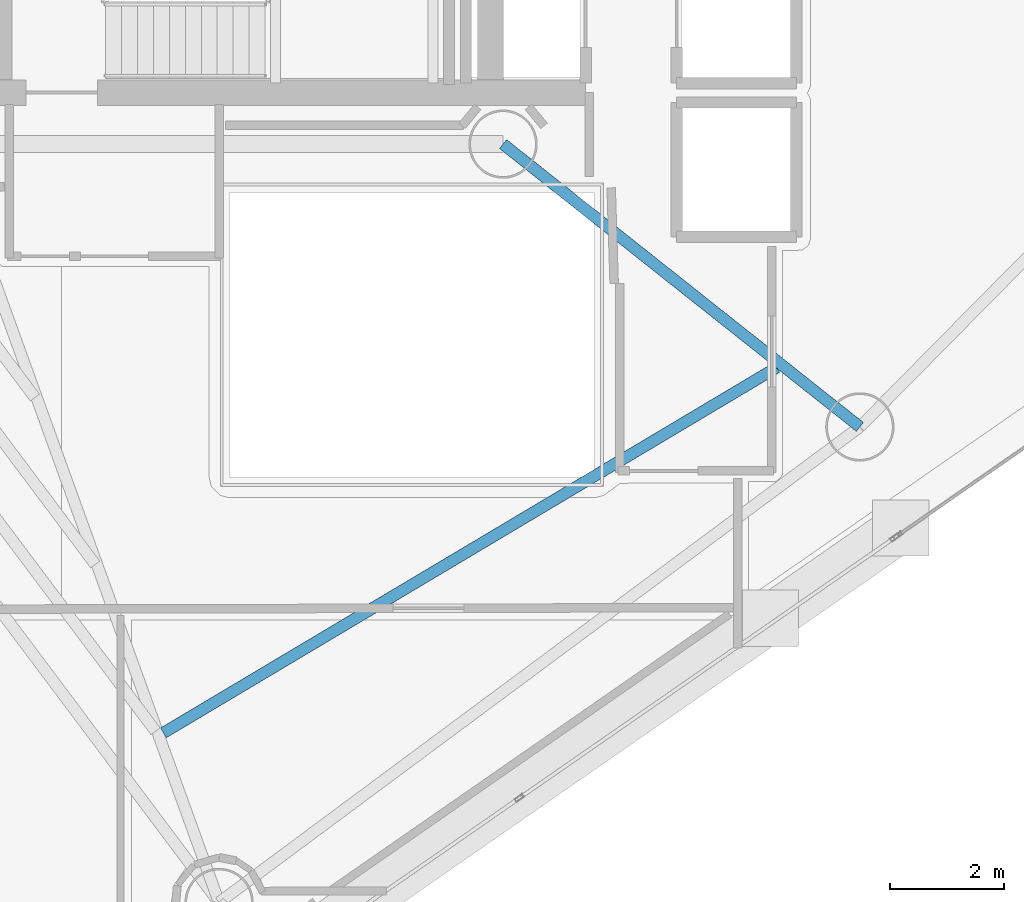
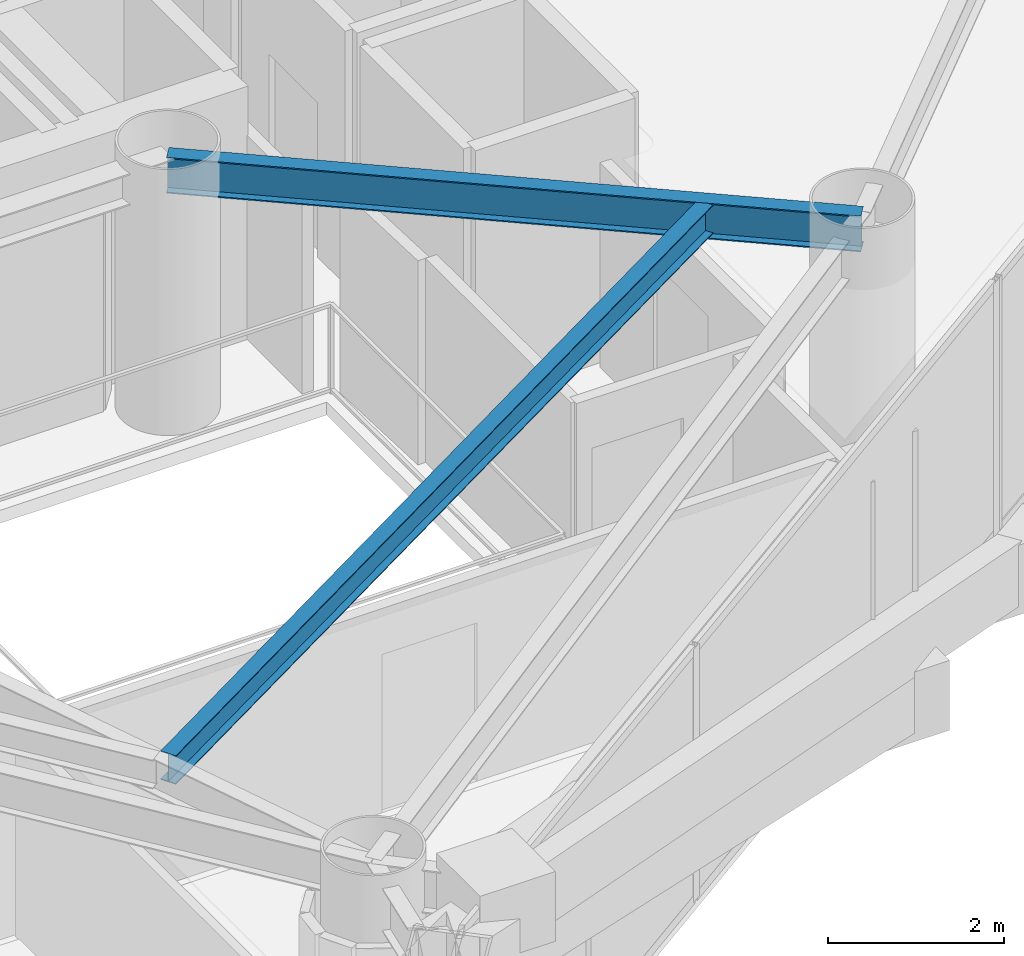
# One storey, part 7 of 23: 2 beams.
"""IFC4 building model written with IfcOpenShell, lengths in metres."""

from ifc_helpers import new_model, si_unit, direction, frame, origin, origin_2d, place, context, subcontext, project, spatial, i_section, extrude, material, material_profile, profile_set, type_object, element, save


model = new_model("IFC4")

# Units and contexts
model_context = context("Model", 3, precision=1e-05, world=origin(), true_north=direction((0.0, 1.0)))
body_context = subcontext(model_context, "Body", "Model", "MODEL_VIEW")
ifc_project = project(units=[si_unit("LENGTHUNIT", "METRE"), si_unit("AREAUNIT", "SQUARE_METRE"), si_unit("VOLUMEUNIT", "CUBIC_METRE"), si_unit("PLANEANGLEUNIT", "RADIAN"), si_unit("MASSUNIT", "GRAM", prefix="KILO")], contexts=[model_context])

# Site, building, storey
site_placement = place(None, origin())
site = spatial("IfcSite", under=ifc_project, at=site_placement, CompositionType="ELEMENT")
building_placement = place(site_placement, origin())
building = spatial("IfcBuilding", under=site, at=building_placement, Name="Qianvela Tower", CompositionType="ELEMENT")
storey_placement = place(building_placement, frame((0.0, 0.0, 192.89990234375)))
storey = spatial("IfcBuildingStorey", under=building, at=storey_placement, Name="L49", CompositionType="ELEMENT", Elevation=192.89990234375)

# Beams
ifc_material_1 = material(Name="Steel Q355B", Category="steel")
ifc_material_profile_1 = material_profile(ifc_material_1, i_section(OverallWidth=0.199951171875, OverallDepth=0.39990234375, WebThickness=0.008056640625, FlangeThickness=0.012939453125, at=origin_2d()), Name="HN400x200x8x13")
ifc_profile_set_1 = profile_set([ifc_material_profile_1], Name="Steel Q355B")
beam_type_1 = type_object("IfcBeamType", Name="BM-HN400-JOIST", PredefinedType="JOIST", material=ifc_profile_set_1)
beam_1_placement = place(storey_placement, frame((32.4365234375, 13.51025390625, 3.318115234375), z_axis=(0.859083505932, 0.511835451914, 0.0), x_axis=(-0.511835451914, 0.859083505932, 0.0)))
element("IfcBeam", 1, at=beam_1_placement, inside=storey, type_object=beam_type_1, Name="L49 Secondary Composite Floor Joist 5.3", PredefinedType="JOIST", context=body_context, shape_type="SweptSolid", body=[
    extrude(i_section(OverallWidth=0.199951171875, OverallDepth=0.39990234375, WebThickness=0.008056640625, FlangeThickness=0.012939453125, at=origin_2d()), origin(), (0.0, 0.0, 1.0), 12.535888671875),
])
ifc_material_2 = material(Name="Steel Q355B", Category="steel")
ifc_material_profile_2 = material_profile(ifc_material_2, i_section(OverallWidth=0.199951171875, OverallDepth=0.5, WebThickness=0.010009765625, FlangeThickness=0.01611328125, at=origin_2d()), Name="HN500x200x10x16")
ifc_profile_set_2 = profile_set([ifc_material_profile_2], Name="Steel Q355B")
beam_type_2 = type_object("IfcBeamType", Name="BM-HN500-GIRD", PredefinedType="BEAM", material=ifc_profile_set_2)
beam_2_placement = place(storey_placement, frame((38.39990234375, 23.85009765625, 3.26806640625), z_axis=(0.783705217119, -0.621132942824, 0.0), x_axis=(0.621132942824, 0.783705217119, 0.0)))
element("IfcBeam", 2, at=beam_2_placement, inside=storey, type_object=beam_type_2, Name="L49 Radial Primary Floor Girder 6", PredefinedType="BEAM", context=body_context, shape_type="SweptSolid", body=[
    extrude(i_section(OverallWidth=0.199951171875, OverallDepth=0.5, WebThickness=0.010009765625, FlangeThickness=0.01611328125, at=origin_2d()), origin(), (0.0, 0.0, 1.0), 7.996826171875),
])

save(model, "model.ifc")
